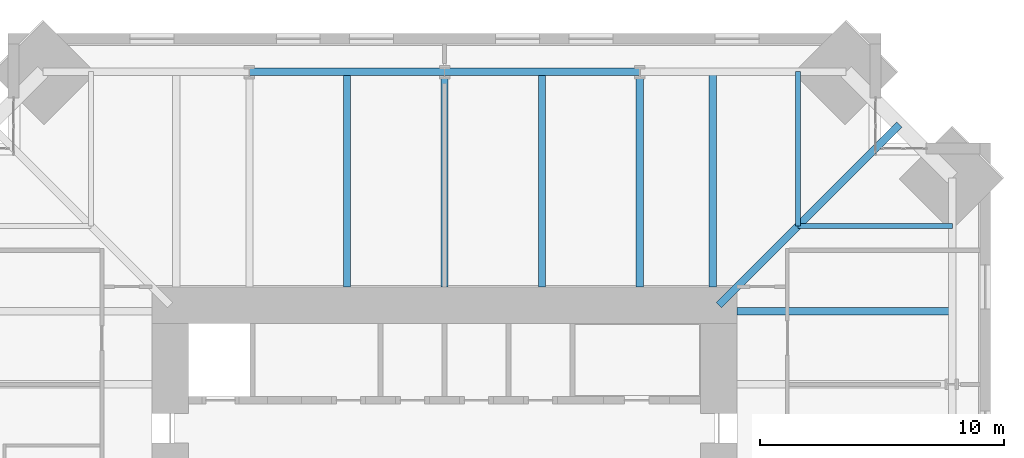
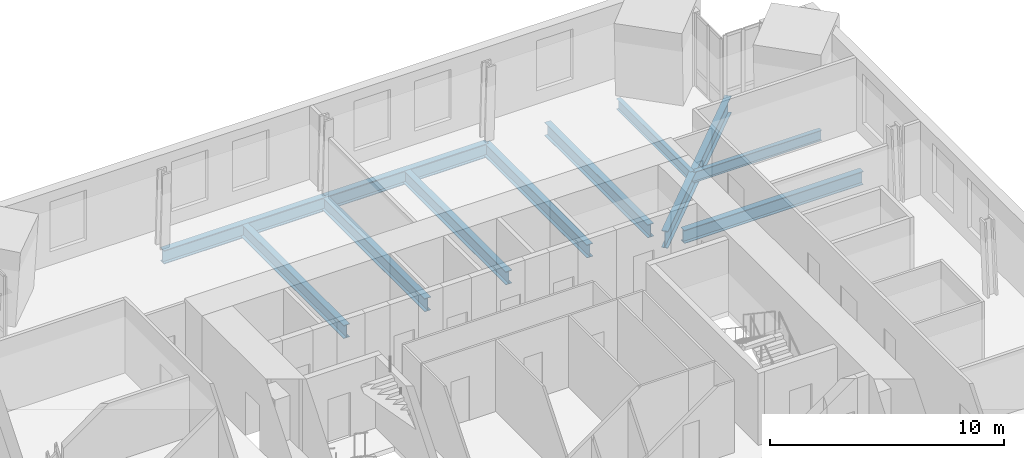
# One storey, part 9 of 18: 11 beams.
"""IFC4 building model written with IfcOpenShell, lengths in metres."""

import ifcopenshell
import ifcopenshell.guid

model = None  # the IFC model being written
_history = None  # IfcOwnerHistory: only IFC2X3 demands one
_inside = {}  # id of a spatial element -> (the spatial element, [elements in it])
_under = {}  # id of a project, library or spatial element -> (it, [spatial elements below it])
_declared = {}  # id of a project -> (the project, [libraries it declares])
_typed = {}  # id of a type object -> (the type object, [elements of that type])
_made_of = {}  # id of a material, layer set ... -> (it, [elements and type objects made of it])


def new_model(schema):
    """Start an empty IFC model of exactly this schema.

    Asked for "IFC4X3", IfcOpenShell would pick the latest addendum, in which some entities
    have other attributes; the version numbers below select the first issue.
    IFC2X3 requires an IfcOwnerHistory on every rooted entity: one is made here for all.
    """
    global model, _history
    if schema == "IFC4X3":
        model = ifcopenshell.file(schema_version=(4, 3, 0, 0))
    else:
        model = ifcopenshell.file(schema=schema)
    _inside.clear()
    _under.clear()
    _declared.clear()
    _typed.clear()
    _made_of.clear()
    _history = None
    if model.schema == "IFC2X3":
        org = make("IfcOrganization", Name="unknown")
        user = make(
            "IfcPersonAndOrganization",
            ThePerson=make("IfcPerson", FamilyName="unknown"),
            TheOrganization=org,
        )
        app = make(
            "IfcApplication",
            ApplicationDeveloper=org,
            Version="unknown",
            ApplicationFullName="unknown",
            ApplicationIdentifier="unknown",
        )
        _history = make(
            "IfcOwnerHistory",
            OwningUser=user,
            OwningApplication=app,
            ChangeAction="ADDED",
            CreationDate=0,
        )
    return model


def make(cls, **values):
    """One entity of the class cls with the attributes given. An attribute that is None is left unset."""
    return model.create_entity(
        cls, **{name: value for name, value in values.items() if value is not None}
    )


def rooted(cls, **values):
    """An entity with a GlobalId (a new one), such as an element, a storey or a relation."""
    return make(cls, GlobalId=ifcopenshell.guid.new(), OwnerHistory=_history, **values)


def si_unit(unit_type, name, prefix=None):
    """IfcSIUnit, for example si_unit("LENGTHUNIT", "METRE", prefix="MILLI")."""
    return make("IfcSIUnit", UnitType=unit_type, Prefix=prefix, Name=name)


def assignment(units):
    """IfcUnitAssignment: the units of a project."""
    return None if units is None else make("IfcUnitAssignment", Units=units)


def point(xyz):
    """IfcCartesianPoint."""
    return None if xyz is None else make("IfcCartesianPoint", Coordinates=xyz)


def direction(xyz):
    """IfcDirection."""
    return None if xyz is None else make("IfcDirection", DirectionRatios=xyz)


def frame(location, z_axis=None, x_axis=None):
    """IfcAxis2Placement3D, a coordinate frame: its origin and axes. An axis left out is left unset."""
    return make(
        "IfcAxis2Placement3D",
        Location=point(location),
        Axis=direction(z_axis),
        RefDirection=direction(x_axis),
    )


def frame_2d(location, x_axis=None):
    """IfcAxis2Placement2D, a coordinate frame in the plane: its origin and x axis."""
    return make(
        "IfcAxis2Placement2D", Location=point(location), RefDirection=direction(x_axis)
    )


def origin():
    """The frame at (0, 0, 0) with its axes left unset."""
    return frame((0.0, 0.0, 0.0))


def origin_2d():
    """The frame at (0, 0) in the plane with its x axis left unset."""
    return frame_2d((0.0, 0.0))


def place(relative_to, where):
    """IfcLocalPlacement: puts the frame where relative to a parent placement (None: the world)."""
    return make(
        "IfcLocalPlacement", PlacementRelTo=relative_to, RelativePlacement=where
    )


def context(
    kind, dimensions, precision=None, world=None, true_north=None, identifier=None
):
    """IfcGeometricRepresentationContext, for example the 3D "Model" context."""
    return make(
        "IfcGeometricRepresentationContext",
        ContextIdentifier=identifier,
        ContextType=kind,
        CoordinateSpaceDimension=dimensions,
        Precision=precision,
        WorldCoordinateSystem=world,
        TrueNorth=true_north,
    )


def subcontext(parent, identifier, kind, view, scale=None):
    """IfcGeometricRepresentationSubContext, for example "Body" below "Model"."""
    return make(
        "IfcGeometricRepresentationSubContext",
        ContextIdentifier=identifier,
        ContextType=kind,
        ParentContext=parent,
        TargetScale=scale,
        TargetView=view,
    )


def project(units=None, contexts=None):
    """IfcProject with its units and contexts."""
    return rooted(
        "IfcProject",
        Name="project",
        RepresentationContexts=contexts,
        UnitsInContext=assignment(units),
    )


def spatial(cls, under=None, at=None, **own):
    """A site, building, storey or space (cls), placed at a placement, below another one or the project."""
    s = rooted(cls, ObjectPlacement=at, **own)
    if under is not None:
        _under.setdefault(under.id(), (under, []))[1].append(s)
    return s


def profile(cls, at=None, kind="AREA", **sizes):
    """A parametric profile (cls). Its sizes go by their IFC names, for example OverallWidth=200.0."""
    return make(cls, ProfileType=kind, Position=at, **sizes)


def i_section(**sizes):
    """IfcIShapeProfileDef."""
    return profile("IfcIShapeProfileDef", **sizes)


def extrude(swept, where, along, depth):
    """IfcExtrudedAreaSolid: the profile swept, set in the frame where, extruded along a direction by depth."""
    return make(
        "IfcExtrudedAreaSolid",
        SweptArea=swept,
        Position=where,
        ExtrudedDirection=direction(along),
        Depth=depth,
    )


def shape(context_of_items, identifier, shape_type, items):
    """IfcShapeRepresentation: the items that make up one representation, for example the "Body"."""
    return make(
        "IfcShapeRepresentation",
        ContextOfItems=context_of_items,
        RepresentationIdentifier=identifier,
        RepresentationType=shape_type,
        Items=items,
    )


def material(Name=None, Category=None):
    """IfcMaterial."""
    return make("IfcMaterial", Name=Name, Category=Category)


def material_profile(
    of_material, cross_section, Name=None, Category=None, Priority=None
):
    """IfcMaterialProfile: a cross section and its material."""
    return make(
        "IfcMaterialProfile",
        Name=Name,
        Material=of_material,
        Profile=cross_section,
        Priority=Priority,
        Category=Category,
    )


def profile_set(profiles, Name=None, composite=None):
    """IfcMaterialProfileSet."""
    return make(
        "IfcMaterialProfileSet",
        Name=Name,
        MaterialProfiles=profiles,
        CompositeProfile=composite,
    )


def made_of(thing, what):
    """Note that an element or type object is made of a material, layer set ...; save() writes the relation."""
    if what is not None:
        _made_of.setdefault(what.id(), (what, []))[1].append(thing)
    return thing


def type_object(cls, material=None, **own):
    """A type object (cls), such as IfcWallType, which elements share."""
    return made_of(rooted(cls, **own), material)


def element(
    cls,
    number,
    at=None,
    inside=None,
    cuts=None,
    type_object=None,
    material=None,
    context=None,
    identifier="Body",
    shape_type=None,
    held_by="IfcProductDefinitionShape",
    body=None,
    shapes=None,
    **own,
):
    """One element of the class cls, such as IfcWall. Its Tag is "e" and its number.

    at: its placement. inside: the storey or other place that contains it. cuts: it is an
    opening in that element (IfcRelVoidsElement). A single representation is given by context,
    identifier, shape_type and body (its items); several are given by shapes. held_by: the class
    of the entity that holds the representations. save() writes the other relations.
    """
    e = rooted(cls, Tag="e%d" % number, ObjectPlacement=at, **own)
    if body is not None:
        shapes = [shape(context, identifier, shape_type, body)]
    if shapes is not None:
        e.Representation = make(held_by, Representations=shapes)
    if inside is not None:
        _inside.setdefault(inside.id(), (inside, []))[1].append(e)
    if cuts is not None:
        rooted(
            "IfcRelVoidsElement", RelatingBuildingElement=cuts, RelatedOpeningElement=e
        )
    if type_object is not None:
        _typed.setdefault(type_object.id(), (type_object, []))[1].append(e)
    return made_of(e, material)


def aggregate(whole, parts):
    """IfcRelAggregates: a whole, such as a stair, and the parts it consists of."""
    return rooted("IfcRelAggregates", RelatingObject=whole, RelatedObjects=parts)


def save(model, path):
    """Write the relations noted so far, then the file.

    IfcRelAggregates (storeys below a building ...), IfcRelContainedInSpatialStructure (elements
    in a storey), IfcRelDefinesByType, IfcRelAssociatesMaterial and IfcRelDeclares: one each for
    every whole, place, type object, material and project.
    """
    for whole, parts in _under.values():
        aggregate(whole, parts)
    for where, things in _inside.values():
        rooted(
            "IfcRelContainedInSpatialStructure",
            RelatedElements=things,
            RelatingStructure=where,
        )
    for kind, things in _typed.values():
        rooted("IfcRelDefinesByType", RelatedObjects=things, RelatingType=kind)
    for what, things in _made_of.values():
        rooted("IfcRelAssociatesMaterial", RelatedObjects=things, RelatingMaterial=what)
    for by, libraries in _declared.values():
        rooted("IfcRelDeclares", RelatingContext=by, RelatedDefinitions=libraries)
    model.write(path)


model = new_model("IFC4")

# Units and contexts
model_context = context("Model", 3, precision=1e-05, world=origin(), true_north=direction((0.0, 1.0)))
body_context = subcontext(model_context, "Body", "Model", "MODEL_VIEW")
ifc_project = project(units=[si_unit("LENGTHUNIT", "METRE"), si_unit("AREAUNIT", "SQUARE_METRE"), si_unit("VOLUMEUNIT", "CUBIC_METRE"), si_unit("PLANEANGLEUNIT", "RADIAN"), si_unit("MASSUNIT", "GRAM", prefix="KILO")], contexts=[model_context])

# Site, building, storey
site_placement = place(None, origin())
site = spatial("IfcSite", under=ifc_project, at=site_placement, CompositionType="ELEMENT")
building_placement = place(site_placement, origin())
building = spatial("IfcBuilding", under=site, at=building_placement, Name="Peilmerk Tower", CompositionType="ELEMENT")
storey_placement = place(building_placement, frame((0.0, 0.0, 249.800048828125)))
storey = spatial("IfcBuildingStorey", under=building, at=storey_placement, Name="L55", CompositionType="ELEMENT", Elevation=249.800048828125)

# Beams
ifc_material = material(Name="Steel S355", Category="steel")
ifc_material_profile_1 = material_profile(ifc_material, i_section(OverallWidth=0.2099609375, OverallDepth=0.550048828125, WebThickness=0.010986328125, FlangeThickness=0.01708984375, at=origin_2d()), Name="IPE 550")
ifc_profile_set_1 = profile_set([ifc_material_profile_1], Name="Steel S355")
beam_type_1 = type_object("IfcBeamType", Name="B12 IPE 550 floor beam", PredefinedType="BEAM", material=ifc_profile_set_1)
for number, where, z_axis, x_axis, name in (
    (1, (14.5, 14.5, -0.445068359375), (0.0, 1.0, 0.0), (-1.0, 0.0, 0.0), "Floor beam L55"),
    (2, (14.5, 14.5, -0.445068359375), (1.0, 0.0, 0.0), (0.0, 1.0, 0.0), "Floor beam L55"),
):
    element("IfcBeam", number, at=place(storey_placement, frame(where, z_axis=z_axis, x_axis=x_axis)), inside=storey, type_object=beam_type_1, Name=name, PredefinedType="BEAM", context=body_context, shape_type="SweptSolid", body=[
        extrude(i_section(OverallWidth=0.2099609375, OverallDepth=0.550048828125, WebThickness=0.010986328125, FlangeThickness=0.01708984375, at=origin_2d()), origin(), (0.0, 0.0, 1.0), 6.32421875),
    ])
ifc_material_profile_2 = material_profile(ifc_material, i_section(OverallWidth=0.300048828125, OverallDepth=0.68994140625, WebThickness=0.014404296875, FlangeThickness=0.027099609375, at=origin_2d()), Name="HEA 700")
ifc_profile_set_2 = profile_set([ifc_material_profile_2], Name="Steel S355")
beam_type_2 = type_object("IfcBeamType", Name="B16 HEA 700 floor beam", PredefinedType="BEAM", material=ifc_profile_set_2)
for number, where, z_axis, x_axis, name in (
    (3, (11.0, 12.0, -0.51513671875), (0.0, 1.0, 0.0), (-1.0, 0.0, 0.0), "Floor beam L55"),
    (4, (8.0, 12.0, -0.51513671875), (0.0, 1.0, 0.0), (-1.0, 0.0, 0.0), "Floor beam L55"),
    (5, (4.0, 12.0, -0.51513671875), (0.0, 1.0, 0.0), (-1.0, 0.0, 0.0), "Floor beam L55"),
    (6, (0.0, 12.0, -0.51513671875), (0.0, 1.0, 0.0), (-1.0, 0.0, 0.0), "Floor beam L55"),
    (7, (-4.0, 12.0, -0.51513671875), (0.0, 1.0, 0.0), (-1.0, 0.0, 0.0), "Floor beam L55"),
    (8, (12.0, 11.0, -0.51513671875), (1.0, 0.0, 0.0), (0.0, 1.0, 0.0), "Floor beam L55"),
):
    element("IfcBeam", number, at=place(storey_placement, frame(where, z_axis=z_axis, x_axis=x_axis)), inside=storey, type_object=beam_type_2, Name=name, PredefinedType="BEAM", context=body_context, shape_type="SweptSolid", body=[
        extrude(i_section(OverallWidth=0.300048828125, OverallDepth=0.68994140625, WebThickness=0.014404296875, FlangeThickness=0.027099609375, at=origin_2d()), origin(), (0.0, 0.0, 1.0), 8.82421875),
    ])
ifc_material_profile_3 = material_profile(ifc_material, i_section(OverallWidth=0.303955078125, OverallDepth=0.716064453125, WebThickness=0.02099609375, FlangeThickness=0.0400390625, at=origin_2d()), Name="HEM 700")
ifc_profile_set_3 = profile_set([ifc_material_profile_3], Name="Steel S355")
beam_type_3 = type_object("IfcBeamType", Name="B30 HEM 700 edge beam", PredefinedType="SPANDREL", material=ifc_profile_set_3)
for number, where, z_axis, x_axis, name in (
    (9, (8.0, 20.82421875, -0.528076171875), (-1.0, 0.0, 0.0), (0.0, -1.0, 0.0), "Edge beam L55"),
    (10, (0.0, 20.82421875, -0.528076171875), (-1.0, 0.0, 0.0), (0.0, -1.0, 0.0), "Edge beam L55"),
):
    element("IfcBeam", number, at=place(storey_placement, frame(where, z_axis=z_axis, x_axis=x_axis)), inside=storey, type_object=beam_type_3, Name=name, PredefinedType="SPANDREL", context=body_context, shape_type="SweptSolid", body=[
        extrude(i_section(OverallWidth=0.303955078125, OverallDepth=0.716064453125, WebThickness=0.02099609375, FlangeThickness=0.0400390625, at=origin_2d()), origin(), (0.0, 0.0, 1.0), 8.0),
    ])
ifc_material_profile_4 = material_profile(ifc_material, i_section(OverallWidth=0.300048828125, OverallDepth=0.889892578125, WebThickness=0.01611328125, FlangeThickness=0.030029296875, at=origin_2d()), Name="HEA 900")
ifc_profile_set_4 = profile_set([ifc_material_profile_4], Name="Steel S355")
beam_type_4 = type_object("IfcBeamType", Name="B4 HEA 900 floor beam", PredefinedType="BEAM", material=ifc_profile_set_4)
beam_placement = place(storey_placement, frame((11.25, 11.25, -0.614990234375), z_axis=(0.707106781187, 0.707106781187, 0.0), x_axis=(-0.707106781187, 0.707106781187, 0.0)))
element("IfcBeam", 11, at=beam_placement, inside=storey, type_object=beam_type_4, Name="Corner girder L55", PredefinedType="BEAM", context=body_context, shape_type="SweptSolid", body=[
    extrude(i_section(OverallWidth=0.300048828125, OverallDepth=0.889892578125, WebThickness=0.01611328125, FlangeThickness=0.030029296875, at=origin_2d()), origin(), (0.0, 0.0, 1.0), 10.464111328125),
])

save(model, "model.ifc")
